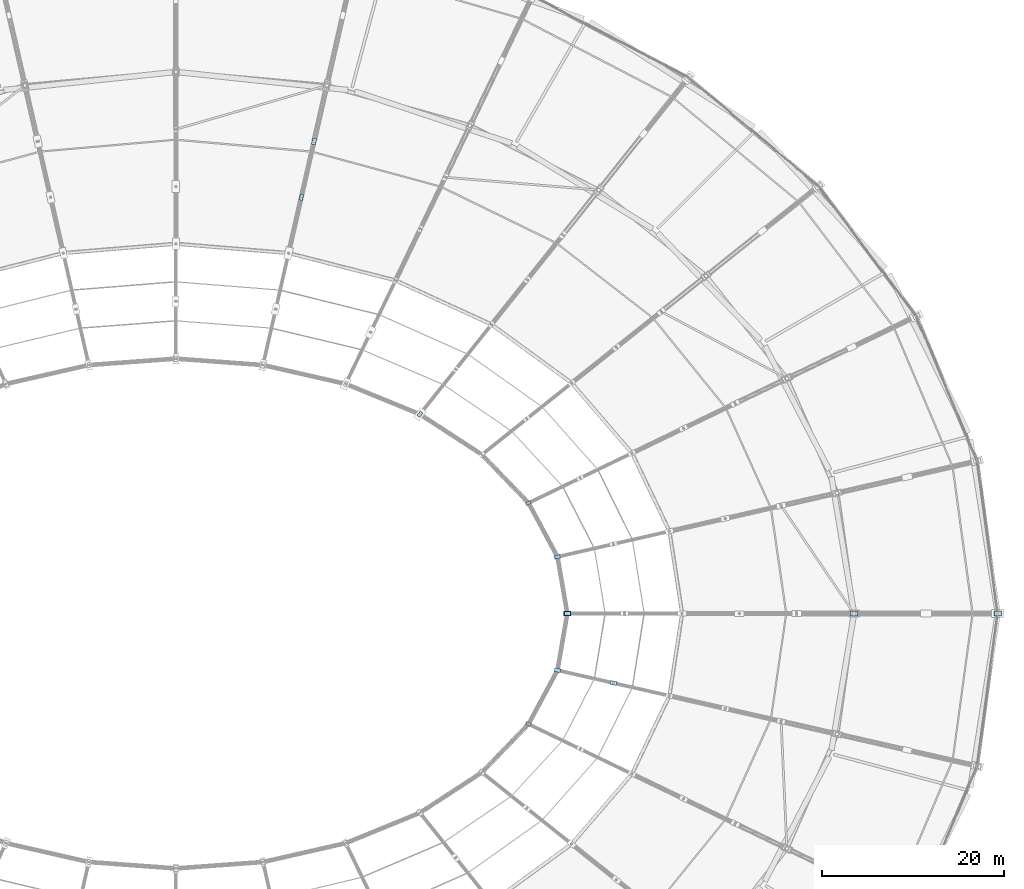
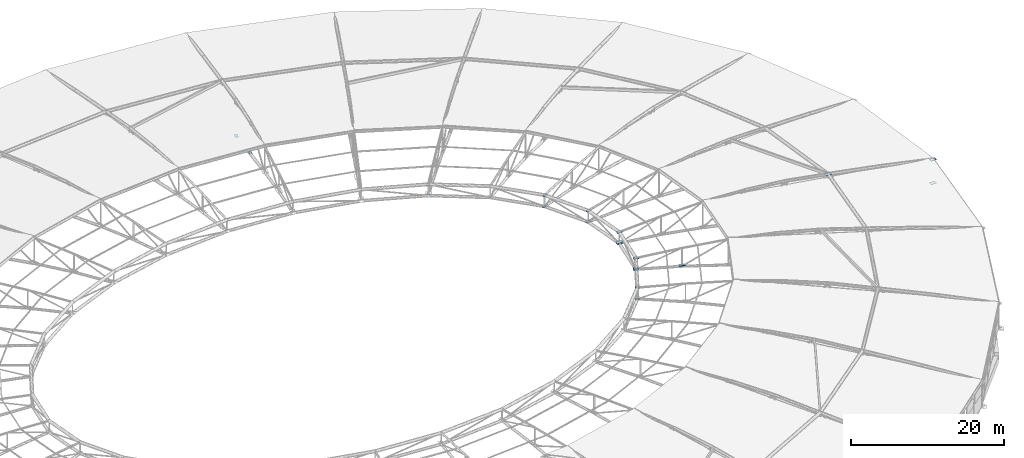
# One storey, part 98 of 108: 21 plates.
"""IFC4 building model written with IfcOpenShell, lengths in metres."""

from ifc_helpers import new_model, si_unit, direction, frame, origin, origin_2d, place, context, subcontext, project, spatial, rectangle, extrude, material, layer, layer_set, type_object, element, save


model = new_model("IFC4")

# Units and contexts
model_context = context("Model", 3, precision=1e-05, world=origin(), true_north=direction((0.0, 1.0)))
body_context = subcontext(model_context, "Body", "Model", "MODEL_VIEW")
ifc_project = project(units=[si_unit("LENGTHUNIT", "METRE"), si_unit("AREAUNIT", "SQUARE_METRE"), si_unit("VOLUMEUNIT", "CUBIC_METRE"), si_unit("PLANEANGLEUNIT", "RADIAN"), si_unit("MASSUNIT", "GRAM", prefix="KILO")], contexts=[model_context])

# Site, building, storey
site_placement = place(None, origin())
site = spatial("IfcSite", under=ifc_project, at=site_placement, CompositionType="ELEMENT")
building_placement = place(site_placement, origin())
building = spatial("IfcBuilding", under=site, at=building_placement, Name="Zevraka Park Crest Stadium", CompositionType="ELEMENT")
storey_placement = place(building_placement, frame((0.0, 0.0, 29.39990234375)))
storey = spatial("IfcBuildingStorey", under=building, at=storey_placement, Name="RF", CompositionType="ELEMENT", Elevation=29.39990234375)

# Plates
ifc_material_1 = material(Name="Steel S355", Category="steel")
ifc_layer_1 = layer(ifc_material_1, 0.02490234375)
ifc_layer_set_1 = layer_set([ifc_layer_1], Name="Steel S355")
plate_type_1 = type_object("IfcPlateType", Name="EC01", PredefinedType="SHEET", material=ifc_layer_set_1)
for number, where, z_axis, x_axis, name in (
    (1, (186.5, 92.0, 7.1982421875), (0.0, 0.0, 1.0), (1.0, 0.0, 0.0), "Hollow Strut Top Closure Cap Plate EC01 T01-2"),
    (2, (202.300048828125, 92.0, 0.237548828125), (0.0, 0.0, 1.0), (1.0, 0.0, 0.0), "TN5 Hollow Chord End Cap Plate EC01 T01-HEEL-B"),
    (3, (202.300048828125, 92.0, 3.987548828125), (0.0, 0.0, 1.0), (1.0, 0.0, 0.0), "TN5 Hollow Chord End Cap Plate EC01 T01-HEEL-T"),
):
    element("IfcPlate", number, at=place(storey_placement, frame(where, z_axis=z_axis, x_axis=x_axis)), inside=storey, type_object=plate_type_1, Name=name, PredefinedType="SHEET", context=body_context, shape_type="SweptSolid", body=[
        extrude(rectangle(XDim=0.840087890625, YDim=0.5400390625, at=origin_2d()), origin(), (0.0, 0.0, 1.0), 0.02490234375),
    ])
ifc_material_2 = material(Name="Steel S355", Category="steel")
ifc_layer_2 = layer(ifc_material_2, 0.02490234375)
ifc_layer_set_2 = layer_set([ifc_layer_2], Name="Steel S355")
plate_type_2 = type_object("IfcPlateType", Name="EC02", PredefinedType="SHEET", material=ifc_layer_set_2)
plate_1_placement = place(storey_placement, frame((202.300048828125, 92.0, 3.998046875), z_axis=(0.0, 0.0, 1.0), x_axis=(1.0, 0.0, 0.0)))
element("IfcPlate", 4, at=plate_1_placement, inside=storey, type_object=plate_type_2, Name="Hollow Strut Top Closure Cap Plate EC02 T01-0", PredefinedType="SHEET", context=body_context, shape_type="SweptSolid", body=[
    extrude(rectangle(XDim=0.780029296875, YDim=0.5, at=origin_2d()), origin(), (0.0, 0.0, 1.0), 0.02490234375),
])
ifc_material_3 = material(Name="Steel S355", Category="steel")
ifc_layer_3 = layer(ifc_material_3, 0.02001953125)
ifc_layer_set_3 = layer_set([ifc_layer_3], Name="Steel S355")
plate_type_3 = type_object("IfcPlateType", Name="EC04", PredefinedType="SHEET", material=ifc_layer_set_3)
for number, where, z_axis, x_axis, name in (
    (5, (155.0, 92.0, 7.190185546875), (0.0, 0.0, 1.0), (1.0, 0.0, 0.0), "TN5 Hollow Chord End Cap Plate EC04 T01-TIP-B"),
    (6, (155.0, 92.0, 8.989990234375), (0.0, 0.0, 1.0), (1.0, 0.0, 0.0), "TN5 Hollow Chord End Cap Plate EC04 T01-TIP-T"),
    (7, (153.922119140625, 85.76904296875, 7.190185546875), (0.0, 0.0, 1.0), (-0.974916814618, 0.222569549971, 0.0), "TN5 Hollow Chord End Cap Plate EC04 T28-TIP-B"),
    (8, (153.922119140625, 85.76904296875, 8.989990234375), (0.0, 0.0, 1.0), (-0.974916814618, 0.222569549971, 0.0), "TN5 Hollow Chord End Cap Plate EC04 T28-TIP-T"),
):
    element("IfcPlate", number, at=place(storey_placement, frame(where, z_axis=z_axis, x_axis=x_axis)), inside=storey, type_object=plate_type_3, Name=name, PredefinedType="SHEET", context=body_context, shape_type="SweptSolid", body=[
        extrude(rectangle(XDim=0.659912109375, YDim=0.419921875, at=origin_2d()), origin(), (0.0, 0.0, 1.0), 0.02001953125),
    ])
ifc_material_4 = material(Name="Steel S355", Category="steel")
ifc_layer_4 = layer(ifc_material_4, 0.02001953125)
ifc_layer_set_4 = layer_set([ifc_layer_4], Name="Steel S355")
plate_type_4 = type_object("IfcPlateType", Name="EC05", PredefinedType="SHEET", material=ifc_layer_set_4)
for number, where, z_axis, x_axis, name in (
    (9, (153.922119140625, 98.23095703125, 7.190185546875), (0.0, 0.0, 1.0), (0.974916814618, 0.222569549971, 0.0), "TN5 Hollow Chord End Cap Plate EC05 T02-TIP-B"),
    (10, (153.922119140625, 98.23095703125, 8.989990234375), (0.0, 0.0, 1.0), (0.974916814618, 0.222569549971, 0.0), "TN5 Hollow Chord End Cap Plate EC05 T02-TIP-T"),
    (11, (138.81005859375, 113.89111328125, 7.190185546875), (0.0, 0.0, 1.0), (0.623470308046, 0.781847027868, 0.0), "TN5 Hollow Chord End Cap Plate EC05 T05-TIP-B"),
    (12, (138.81005859375, 113.89111328125, 8.989990234375), (0.0, 0.0, 1.0), (0.623470308046, 0.781847027868, 0.0), "TN5 Hollow Chord End Cap Plate EC05 T05-TIP-T"),
):
    element("IfcPlate", number, at=place(storey_placement, frame(where, z_axis=z_axis, x_axis=x_axis)), inside=storey, type_object=plate_type_4, Name=name, PredefinedType="SHEET", context=body_context, shape_type="SweptSolid", body=[
        extrude(rectangle(XDim=0.60009765625, YDim=0.3798828125, at=origin_2d()), origin(), (0.0, 0.0, 1.0), 0.02001953125),
    ])
ifc_material_5 = material(Name="Steel S355", Category="steel")
ifc_layer_5 = layer(ifc_material_5, 0.01806640625)
ifc_layer_set_5 = layer_set([ifc_layer_5], Name="Steel S355")
plate_type_5 = type_object("IfcPlateType", Name="EC06", PredefinedType="SHEET", material=ifc_layer_set_5)
for number, where, z_axis, x_axis, name in (
    (13, (150.741943359375, 104.14892578125, 7.191162109375), (0.0, 0.0, 1.0), (0.90100131981, 0.43381634559, 0.0), "TN5 Hollow Chord End Cap Plate EC06 T03-TIP-B"),
    (14, (150.741943359375, 104.14892578125, 8.990966796875), (0.0, 0.0, 1.0), (0.90100131981, 0.43381634559, 0.0), "TN5 Hollow Chord End Cap Plate EC06 T03-TIP-T"),
    (15, (150.741943359375, 79.85107421875, 7.191162109375), (0.0, 0.0, 1.0), (-0.90100131981, 0.43381634559, 0.0), "TN5 Hollow Chord End Cap Plate EC06 T27-TIP-B"),
    (16, (150.741943359375, 79.85107421875, 8.990966796875), (0.0, 0.0, 1.0), (-0.90100131981, 0.43381634559, 0.0), "TN5 Hollow Chord End Cap Plate EC06 T27-TIP-T"),
):
    element("IfcPlate", number, at=place(storey_placement, frame(where, z_axis=z_axis, x_axis=x_axis)), inside=storey, type_object=plate_type_5, Name=name, PredefinedType="SHEET", context=body_context, shape_type="SweptSolid", body=[
        extrude(rectangle(XDim=0.5400390625, YDim=0.340087890625, at=origin_2d()), origin(), (0.0, 0.0, 1.0), 0.01806640625),
    ])
ifc_material_6 = material(Name="Steel S355", Category="steel")
ifc_layer_6 = layer(ifc_material_6, 0.02392578125)
ifc_layer_set_6 = layer_set([ifc_layer_6], Name="Steel S355")
plate_type_6 = type_object("IfcPlateType", Name="GP07", PredefinedType="USERDEFINED", material=ifc_layer_set_6)
plate_2_placement = place(storey_placement, frame((155.0, 92.0, 7.3681640625), z_axis=(0.0, 0.0, 1.0), x_axis=(1.0, 0.0, 0.0)))
element("IfcPlate", 17, at=plate_2_placement, inside=storey, type_object=plate_type_6, Name="TN6 Truss Node Gusset Plate GP07 T01-7", ObjectType="GUSSET PLATE", PredefinedType="USERDEFINED", context=body_context, shape_type="SweptSolid", body=[
    extrude(rectangle(XDim=0.840087890625, YDim=0.5, at=origin_2d()), origin(), (0.0, 0.0, 1.0), 0.02392578125),
])
ifc_material_7 = material(Name="Steel S355", Category="steel")
ifc_layer_7 = layer(ifc_material_7, 0.02197265625)
ifc_layer_set_7 = layer_set([ifc_layer_7], Name="Steel S355")
plate_type_7 = type_object("IfcPlateType", Name="GP09", PredefinedType="USERDEFINED", material=ifc_layer_set_7)
for number, where, z_axis, x_axis, name in (
    (18, (127.176025390625, 143.865966796875, 2.619140625), (0.0, 0.0, 1.0), (0.222569549971, 0.974916814618, 0.0), "TN3 Truss Node Gusset Plate GP09 T07-3"),
    (19, (160.06396484375, 84.367919921875, 6.569091796875), (0.0, 0.0, 1.0), (-0.974916814618, 0.222569549971, 0.0), "TN6 Truss Node Gusset Plate GP09 T28-6"),
):
    element("IfcPlate", number, at=place(storey_placement, frame(where, z_axis=z_axis, x_axis=x_axis)), inside=storey, type_object=plate_type_7, Name=name, ObjectType="GUSSET PLATE", PredefinedType="USERDEFINED", context=body_context, shape_type="SweptSolid", body=[
        extrude(rectangle(XDim=0.719970703125, YDim=0.43994140625, at=origin_2d()), origin(), (0.0, 0.0, 1.0), 0.02197265625),
    ])
ifc_material_8 = material(Name="Steel S355", Category="steel")
ifc_layer_8 = layer(ifc_material_8, 0.02001953125)
ifc_layer_set_8 = layer_set([ifc_layer_8], Name="Steel S355")
plate_type_8 = type_object("IfcPlateType", Name="GP10", PredefinedType="USERDEFINED", material=ifc_layer_set_8)
for number, where, z_axis, x_axis, name in (
    (20, (125.77392578125, 137.72412109375, 4.1201171875), (0.0, 0.0, 1.0), (0.222569549971, 0.974916814618, 0.0), "TN4 Truss Node Gusset Plate GP10 T07-4"),
    (21, (153.922119140625, 85.76904296875, 7.3701171875), (0.0, 0.0, 1.0), (-0.974916814618, 0.222569549971, 0.0), "TN6 Truss Node Gusset Plate GP10 T28-7"),
):
    element("IfcPlate", number, at=place(storey_placement, frame(where, z_axis=z_axis, x_axis=x_axis)), inside=storey, type_object=plate_type_8, Name=name, ObjectType="GUSSET PLATE", PredefinedType="USERDEFINED", context=body_context, shape_type="SweptSolid", body=[
        extrude(rectangle(XDim=0.659912109375, YDim=0.39990234375, at=origin_2d()), origin(), (0.0, 0.0, 1.0), 0.02001953125),
    ])

save(model, "model.ifc")
